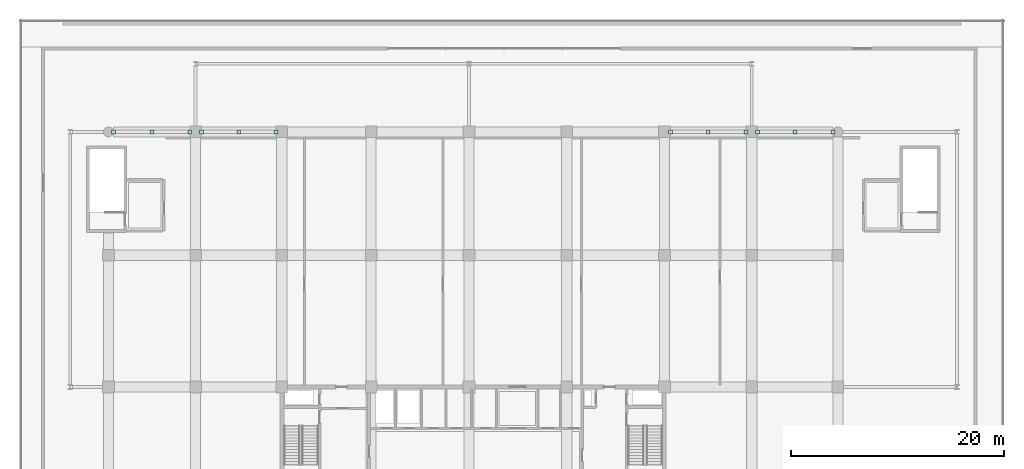
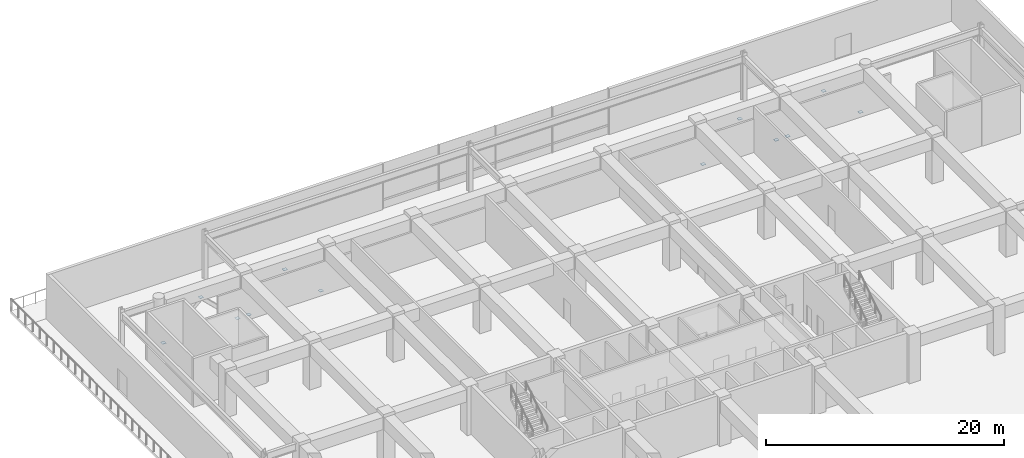
# One storey, part 20 of 38: 12 plates.
"""IFC4 building model written with IfcOpenShell, lengths in metres."""

from ifc_helpers import new_model, si_unit, direction, frame, origin, origin_2d, place, context, subcontext, project, spatial, rectangle, extrude, material, layer, layer_set, type_object, element, save


model = new_model("IFC4")

# Units and contexts
model_context = context("Model", 3, precision=1e-05, world=origin(), true_north=direction((0.0, 1.0)))
body_context = subcontext(model_context, "Body", "Model", "MODEL_VIEW")
ifc_project = project(units=[si_unit("LENGTHUNIT", "METRE"), si_unit("AREAUNIT", "SQUARE_METRE"), si_unit("VOLUMEUNIT", "CUBIC_METRE"), si_unit("PLANEANGLEUNIT", "RADIAN"), si_unit("MASSUNIT", "GRAM", prefix="KILO")], contexts=[model_context])

# Site, building, storey
site_placement = place(None, origin())
site = spatial("IfcSite", under=ifc_project, at=site_placement, CompositionType="ELEMENT")
building_placement = place(site_placement, origin())
building = spatial("IfcBuilding", under=site, at=building_placement, Name="Korimba Cascade Residences", CompositionType="ELEMENT")
storey_placement = place(building_placement, frame((0.0, 0.0, 19.0)))
storey = spatial("IfcBuildingStorey", under=building, at=storey_placement, Name="L04", CompositionType="ELEMENT", Elevation=19.0)

# Plates
ifc_material = material(Name="Steel S460", Category="steel")
ifc_layer = layer(ifc_material, 0.028076171875)
ifc_layer_set = layer_set([ifc_layer], Name="Steel S460")
plate_type = type_object("IfcPlateType", Name="PLT-ENDCAP-28", PredefinedType="USERDEFINED", material=ifc_layer_set)
for number, where, z_axis, x_axis, name in (
    (1, (60.27490234375, 91.199951171875, 0.005859375), (0.0, 0.0, 1.0), (1.0, 0.0, 0.0), "L04 Brace Welded End Connection Plate 1"),
    (2, (63.89990234375, 91.199951171875, 3.416015625), (0.0, 0.0, 1.0), (1.0, 0.0, 0.0), "L04 Brace Welded End Connection Plate 2"),
    (3, (67.449951171875, 91.199951171875, 0.005859375), (0.0, 0.0, 1.0), (1.0, 0.0, 0.0), "L04 Brace Welded End Connection Plate 3"),
    (4, (68.550048828125, 91.199951171875, 0.005859375), (0.0, 0.0, 1.0), (1.0, 0.0, 0.0), "L04 Brace Welded End Connection Plate 4"),
    (5, (72.050048828125, 91.199951171875, 3.416015625), (0.0, 0.0, 1.0), (1.0, 0.0, 0.0), "L04 Brace Welded End Connection Plate 5"),
    (6, (75.550048828125, 91.199951171875, 0.005859375), (0.0, 0.0, 1.0), (1.0, 0.0, 0.0), "L04 Brace Welded End Connection Plate 6"),
    (7, (112.64990234375, 91.199951171875, 0.005859375), (0.0, 0.0, 1.0), (1.0, 0.0, 0.0), "L04 Brace Welded End Connection Plate 7"),
    (8, (116.199951171875, 91.199951171875, 3.416015625), (0.0, 0.0, 1.0), (1.0, 0.0, 0.0), "L04 Brace Welded End Connection Plate 8"),
    (9, (119.75, 91.199951171875, 0.005859375), (0.0, 0.0, 1.0), (1.0, 0.0, 0.0), "L04 Brace Welded End Connection Plate 9"),
    (10, (120.85009765625, 91.199951171875, 0.005859375), (0.0, 0.0, 1.0), (1.0, 0.0, 0.0), "L04 Brace Welded End Connection Plate 10"),
    (11, (124.35009765625, 91.199951171875, 3.416015625), (0.0, 0.0, 1.0), (1.0, 0.0, 0.0), "L04 Brace Welded End Connection Plate 11"),
    (12, (127.925048828125, 91.199951171875, 0.005859375), (0.0, 0.0, 1.0), (1.0, 0.0, 0.0), "L04 Brace Welded End Connection Plate 12"),
):
    element("IfcPlate", number, at=place(storey_placement, frame(where, z_axis=z_axis, x_axis=x_axis)), inside=storey, type_object=plate_type, Name=name, ObjectType="CAP PLATE", PredefinedType="USERDEFINED", context=body_context, shape_type="SweptSolid", body=[
        extrude(rectangle(XDim=0.360107421875, YDim=0.360107421875, at=origin_2d()), origin(), (0.0, 0.0, 1.0), 0.028076171875),
    ])

save(model, "model.ifc")
